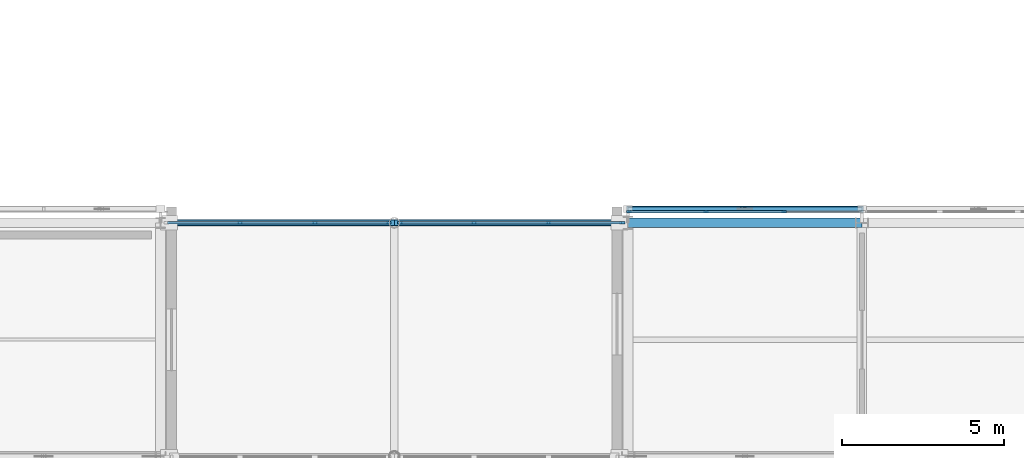
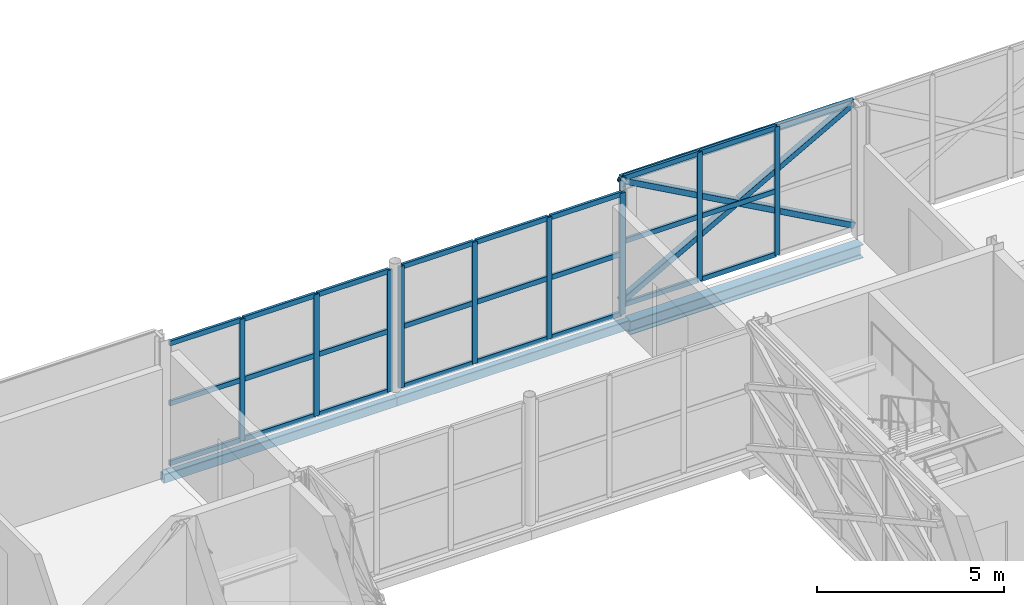
# One storey, part 36 of 146: 38 members, 3 beams, 3 elements without a shape of their own.
"""IFC4 building model written with IfcOpenShell, lengths in metres."""

from ifc_helpers import new_model, si_unit, direction, frame, origin, origin_2d, place, context, subcontext, project, spatial, rectangle, hollow_rectangle, i_section, extrude, material, material_profile, profile_set, type_object, element, aggregate, save


model = new_model("IFC4")

# Units and contexts
model_context = context("Model", 3, precision=1e-05, world=origin(), true_north=direction((0.0, 1.0)))
body_context = subcontext(model_context, "Body", "Model", "MODEL_VIEW")
ifc_project = project(units=[si_unit("LENGTHUNIT", "METRE"), si_unit("AREAUNIT", "SQUARE_METRE"), si_unit("VOLUMEUNIT", "CUBIC_METRE"), si_unit("PLANEANGLEUNIT", "RADIAN"), si_unit("MASSUNIT", "GRAM", prefix="KILO")], contexts=[model_context])

# Site, building, storey
site_placement = place(None, origin())
site = spatial("IfcSite", under=ifc_project, at=site_placement, CompositionType="ELEMENT")
building_placement = place(site_placement, origin())
building = spatial("IfcBuilding", under=site, at=building_placement, Name="Zlatovets Crest Museum", CompositionType="ELEMENT")
storey_placement = place(building_placement, frame((0.0, 0.0, 4.5)))
storey = spatial("IfcBuildingStorey", under=building, at=storey_placement, Name="L01", CompositionType="ELEMENT", Elevation=4.5)

# Beams
ifc_material_1 = material(Name="Structural steel S355J2", Category="steel")
ifc_material_profile_1 = material_profile(ifc_material_1, i_section(OverallWidth=0.300048828125, OverallDepth=0.43994140625, WebThickness=0.011474609375, FlangeThickness=0.02099609375, FilletRadius=0.027099609375, at=origin_2d()), Name="HEA 450")
ifc_profile_set_1 = profile_set([ifc_material_profile_1], Name="Structural steel S355J2")
beam_type_1 = type_object("IfcBeamType", Name="Beam_B-10", PredefinedType="BEAM", material=ifc_profile_set_1)
beam_1_placement = place(storey_placement, frame((57.60009765625, 28.800048828125, -0.43994140625), z_axis=(1.0, 0.0, 0.0), x_axis=(0.0, 1.0, 0.0)))
element("IfcBeam", 1, at=beam_1_placement, inside=storey, type_object=beam_type_1, Name="V2 L01 Primary Girder B-10", PredefinedType="BEAM", context=body_context, shape_type="SweptSolid", body=[
    extrude(i_section(OverallWidth=0.300048828125, OverallDepth=0.43994140625, WebThickness=0.011474609375, FlangeThickness=0.02099609375, FilletRadius=0.027099609375, at=origin_2d()), origin(), (0.0, 0.0, 1.0), 7.199951171875),
])
ifc_material_profile_2 = material_profile(ifc_material_1, hollow_rectangle(XDim=0.199951171875, YDim=0.300048828125, WallThickness=0.012451171875, InnerFilletRadius=0.012451171875, OuterFilletRadius=0.02490234375, at=origin_2d()), Name="RHS 200x300x12.5")
ifc_profile_set_2 = profile_set([ifc_material_profile_2], Name="Structural steel S355J2")
beam_type_2 = type_object("IfcBeamType", Name="Beam_BRG-01", PredefinedType="BEAM", material=ifc_profile_set_2)
beam_2_placement = place(storey_placement, frame((43.199951171875, 28.800048828125, -0.3701171875), z_axis=(1.0, 0.0, 0.0), x_axis=(0.0, 1.0, 0.0)))
element("IfcBeam", 2, at=beam_2_placement, inside=storey, type_object=beam_type_2, Name="South Forecourt Glazed Link Bridge L01 Stringer Beam", PredefinedType="BEAM", context=body_context, shape_type="SweptSolid", body=[
    extrude(hollow_rectangle(XDim=0.199951171875, YDim=0.300048828125, WallThickness=0.012451171875, InnerFilletRadius=0.012451171875, OuterFilletRadius=0.02490234375, at=origin_2d()), origin(), (0.0, 0.0, 1.0), 7.199951171875),
])
beam_3_placement = place(storey_placement, frame((50.39990234375, 28.800048828125, -0.3701171875), z_axis=(1.0, 0.0, 0.0), x_axis=(0.0, 1.0, 0.0)))
element("IfcBeam", 3, at=beam_3_placement, inside=storey, type_object=beam_type_2, Name="South Forecourt Glazed Link Bridge L01 Stringer Beam", PredefinedType="BEAM", context=body_context, shape_type="SweptSolid", body=[
    extrude(hollow_rectangle(XDim=0.199951171875, YDim=0.300048828125, WallThickness=0.012451171875, InnerFilletRadius=0.012451171875, OuterFilletRadius=0.02490234375, at=origin_2d()), origin(), (0.0, 0.0, 1.0), 7.2001953125),
])

# Curtain wall, members
ifc_material_2 = material(Name="Bronze-anodised aluminium and low-E triple glass", Category="aluminium")
curtain_wall_type_1 = type_object("IfcCurtainWallType", Name="CW_CW-V2-L01-M1", PredefinedType="NOTDEFINED", material=ifc_material_2)
curtain_wall_1_placement = place(storey_placement, origin())
curtain_wall_1 = element("IfcCurtainWall", 4, at=curtain_wall_1_placement, inside=storey, type_object=curtain_wall_type_1, Name="V2 L01 Secession Foyer Clear Curtain Wall", PredefinedType="NOTDEFINED")
ifc_material_3 = material(Name="Bronze-anodised aluminium EN AW-6060", Category="aluminium")
ifc_material_profile_3 = material_profile(ifc_material_3, rectangle(XDim=0.080078125, YDim=0.159912109375, at=origin_2d()), Name="ALU 80x160")
ifc_profile_set_3 = profile_set([ifc_material_profile_3], Name="Bronze-anodised aluminium EN AW-6060")
member_type_1 = type_object("IfcMemberType", Name="CWMull_M1", PredefinedType="MULLION", material=ifc_profile_set_3)
member_1_placement = place(storey_placement, frame((62.39990234375, 29.139892578125, 0.0), z_axis=(0.0, 0.0, 1.0), x_axis=(0.0, -1.0, 0.0)))
member_1 = element("IfcMember", 5, at=member_1_placement, type_object=member_type_1, Name="CW-V2-L01-M1 mullion 2", PredefinedType="MULLION", context=body_context, shape_type="SweptSolid", body=[
    extrude(rectangle(XDim=0.080078125, YDim=0.159912109375, at=origin_2d()), origin(), (0.0, 0.0, 1.0), 4.199951171875),
])
member_2_placement = place(storey_placement, frame((60.0, 29.139892578125, 0.0), z_axis=(0.0, 0.0, 1.0), x_axis=(0.0, -1.0, 0.0)))
member_2 = element("IfcMember", 6, at=member_2_placement, type_object=member_type_1, Name="CW-V2-L01-M1 mullion 3", PredefinedType="MULLION", context=body_context, shape_type="SweptSolid", body=[
    extrude(rectangle(XDim=0.080078125, YDim=0.159912109375, at=origin_2d()), origin(), (0.0, 0.0, 1.0), 4.199951171875),
])
member_3_placement = place(storey_placement, frame((57.6298828125, 29.139892578125, 0.0), z_axis=(0.0, 0.0, 1.0), x_axis=(0.0, -1.0, 0.0)))
member_3 = element("IfcMember", 7, at=member_3_placement, type_object=member_type_1, Name="CW-V2-L01-M1 mullion 4", PredefinedType="MULLION", context=body_context, shape_type="SweptSolid", body=[
    extrude(rectangle(XDim=0.080078125, YDim=0.159912109375, at=origin_2d()), origin(), (0.0, 0.0, 1.0), 4.199951171875),
])

curtain_wall_type_2 = type_object("IfcCurtainWallType", Name="CW_CW-BR1-L01-S69", PredefinedType="NOTDEFINED", material=ifc_material_2)
curtain_wall_2_placement = place(storey_placement, origin())
curtain_wall_2 = element("IfcCurtainWall", 8, at=curtain_wall_2_placement, inside=storey, type_object=curtain_wall_type_2, Name="South Forecourt Glazed Link Bridge L01 Glazed Bridge Curtain Wall", PredefinedType="NOTDEFINED")
member_4_placement = place(storey_placement, frame((45.64990234375, 28.800048828125, 0.0), z_axis=(0.0, 0.0, 1.0), x_axis=(0.0, 1.0, 0.0)))
member_4 = element("IfcMember", 9, at=member_4_placement, type_object=member_type_1, Name="CW-BR1-L01-S69 mullion 2", PredefinedType="MULLION", context=body_context, shape_type="SweptSolid", body=[
    extrude(rectangle(XDim=0.080078125, YDim=0.159912109375, at=origin_2d()), origin(), (0.0, 0.0, 1.0), 3.97998046875),
])
member_5_placement = place(storey_placement, frame((47.949951171875, 28.800048828125, 0.0), z_axis=(0.0, 0.0, 1.0), x_axis=(0.0, 1.0, 0.0)))
member_5 = element("IfcMember", 10, at=member_5_placement, type_object=member_type_1, Name="CW-BR1-L01-S69 mullion 3", PredefinedType="MULLION", context=body_context, shape_type="SweptSolid", body=[
    extrude(rectangle(XDim=0.080078125, YDim=0.159912109375, at=origin_2d()), origin(), (0.0, 0.0, 1.0), 3.97998046875),
])
member_6_placement = place(storey_placement, frame((50.219970703125, 28.800048828125, 0.0), z_axis=(0.0, 0.0, 1.0), x_axis=(0.0, 1.0, 0.0)))
member_6 = element("IfcMember", 11, at=member_6_placement, type_object=member_type_1, Name="CW-BR1-L01-S69 mullion 4", PredefinedType="MULLION", context=body_context, shape_type="SweptSolid", body=[
    extrude(rectangle(XDim=0.080078125, YDim=0.159912109375, at=origin_2d()), origin(), (0.0, 0.0, 1.0), 3.97998046875),
])

curtain_wall_3_placement = place(storey_placement, origin())
curtain_wall_3 = element("IfcCurtainWall", 12, at=curtain_wall_3_placement, inside=storey, type_object=curtain_wall_type_2, Name="South Forecourt Glazed Link Bridge L01 Glazed Bridge Curtain Wall", PredefinedType="NOTDEFINED")
member_7_placement = place(storey_placement, frame((50.580078125, 28.800048828125, 0.0), z_axis=(0.0, 0.0, 1.0), x_axis=(0.0, 1.0, 0.0)))
member_7 = element("IfcMember", 13, at=member_7_placement, type_object=member_type_1, Name="CW-BR1-L01-S69 mullion 1", PredefinedType="MULLION", context=body_context, shape_type="SweptSolid", body=[
    extrude(rectangle(XDim=0.080078125, YDim=0.159912109375, at=origin_2d()), origin(), (0.0, 0.0, 1.0), 3.97998046875),
])
member_8_placement = place(storey_placement, frame((52.85009765625, 28.800048828125, 0.0), z_axis=(0.0, 0.0, 1.0), x_axis=(0.0, 1.0, 0.0)))
member_8 = element("IfcMember", 14, at=member_8_placement, type_object=member_type_1, Name="CW-BR1-L01-S69 mullion 2", PredefinedType="MULLION", context=body_context, shape_type="SweptSolid", body=[
    extrude(rectangle(XDim=0.080078125, YDim=0.159912109375, at=origin_2d()), origin(), (0.0, 0.0, 1.0), 3.97998046875),
])
member_9_placement = place(storey_placement, frame((55.14990234375, 28.800048828125, 0.0), z_axis=(0.0, 0.0, 1.0), x_axis=(0.0, 1.0, 0.0)))
member_9 = element("IfcMember", 15, at=member_9_placement, type_object=member_type_1, Name="CW-BR1-L01-S69 mullion 3", PredefinedType="MULLION", context=body_context, shape_type="SweptSolid", body=[
    extrude(rectangle(XDim=0.080078125, YDim=0.159912109375, at=origin_2d()), origin(), (0.0, 0.0, 1.0), 3.97998046875),
])
member_10_placement = place(storey_placement, frame((57.419921875, 28.800048828125, 0.0), z_axis=(0.0, 0.0, 1.0), x_axis=(0.0, 1.0, 0.0)))
member_10 = element("IfcMember", 16, at=member_10_placement, type_object=member_type_1, Name="CW-BR1-L01-S69 mullion 4", PredefinedType="MULLION", context=body_context, shape_type="SweptSolid", body=[
    extrude(rectangle(XDim=0.080078125, YDim=0.159912109375, at=origin_2d()), origin(), (0.0, 0.0, 1.0), 3.97998046875),
])

# Member
ifc_material_profile_4 = material_profile(ifc_material_3, rectangle(XDim=0.080078125, YDim=0.159912109375, at=origin_2d()), Name="ALU 80x160")
ifc_profile_set_4 = profile_set([ifc_material_profile_4], Name="Bronze-anodised aluminium EN AW-6060")
member_type_2 = type_object("IfcMemberType", Name="CWTrans_T1", PredefinedType="USERDEFINED", material=ifc_profile_set_4)
member_11_placement = place(storey_placement, frame((62.3701171875, 29.139892578125, 0.030029296875), z_axis=(-1.0, 0.0, 0.0), x_axis=(0.0, -1.0, 0.0)))
member_11 = element("IfcMember", 17, at=member_11_placement, type_object=member_type_2, Name="CW-V2-L01-M1 transom 2.1", ObjectType="TRANSOM", PredefinedType="USERDEFINED", context=body_context, shape_type="SweptSolid", body=[
    extrude(rectangle(XDim=0.080078125, YDim=0.159912109375, at=origin_2d()), origin(), (0.0, 0.0, 1.0), 2.340087890625),
])

member_12_placement = place(storey_placement, frame((62.3701171875, 29.139892578125, 2.10009765625), z_axis=(-1.0, 0.0, 0.0), x_axis=(0.0, -1.0, 0.0)))
member_12 = element("IfcMember", 18, at=member_12_placement, type_object=member_type_2, Name="CW-V2-L01-M1 transom 2.2", ObjectType="TRANSOM", PredefinedType="USERDEFINED", context=body_context, shape_type="SweptSolid", body=[
    extrude(rectangle(XDim=0.080078125, YDim=0.159912109375, at=origin_2d()), origin(), (0.0, 0.0, 1.0), 2.340087890625),
])

member_13_placement = place(storey_placement, frame((62.3701171875, 29.139892578125, 4.169921875), z_axis=(-1.0, 0.0, 0.0), x_axis=(0.0, -1.0, 0.0)))
member_13 = element("IfcMember", 19, at=member_13_placement, type_object=member_type_2, Name="CW-V2-L01-M1 transom 2.3", ObjectType="TRANSOM", PredefinedType="USERDEFINED", context=body_context, shape_type="SweptSolid", body=[
    extrude(rectangle(XDim=0.080078125, YDim=0.159912109375, at=origin_2d()), origin(), (0.0, 0.0, 1.0), 2.340087890625),
])

member_14_placement = place(storey_placement, frame((59.969970703125, 29.139892578125, 0.030029296875), z_axis=(-1.0, 0.0, 0.0), x_axis=(0.0, -1.0, 0.0)))
member_14 = element("IfcMember", 20, at=member_14_placement, type_object=member_type_2, Name="CW-V2-L01-M1 transom 3.1", ObjectType="TRANSOM", PredefinedType="USERDEFINED", context=body_context, shape_type="SweptSolid", body=[
    extrude(rectangle(XDim=0.080078125, YDim=0.159912109375, at=origin_2d()), origin(), (0.0, 0.0, 1.0), 2.31005859375),
])

member_15_placement = place(storey_placement, frame((59.969970703125, 29.139892578125, 2.10009765625), z_axis=(-1.0, 0.0, 0.0), x_axis=(0.0, -1.0, 0.0)))
member_15 = element("IfcMember", 21, at=member_15_placement, type_object=member_type_2, Name="CW-V2-L01-M1 transom 3.2", ObjectType="TRANSOM", PredefinedType="USERDEFINED", context=body_context, shape_type="SweptSolid", body=[
    extrude(rectangle(XDim=0.080078125, YDim=0.159912109375, at=origin_2d()), origin(), (0.0, 0.0, 1.0), 2.31005859375),
])

member_16_placement = place(storey_placement, frame((59.969970703125, 29.139892578125, 4.169921875), z_axis=(-1.0, 0.0, 0.0), x_axis=(0.0, -1.0, 0.0)))
member_16 = element("IfcMember", 22, at=member_16_placement, type_object=member_type_2, Name="CW-V2-L01-M1 transom 3.3", ObjectType="TRANSOM", PredefinedType="USERDEFINED", context=body_context, shape_type="SweptSolid", body=[
    extrude(rectangle(XDim=0.080078125, YDim=0.159912109375, at=origin_2d()), origin(), (0.0, 0.0, 1.0), 2.31005859375),
])

aggregate(curtain_wall_1, [member_1, member_2, member_3, member_11, member_12, member_13, member_14, member_15, member_16])

member_17_placement = place(storey_placement, frame((43.409912109375, 28.800048828125, 0.030029296875), z_axis=(1.0, 0.0, 0.0), x_axis=(0.0, 1.0, 0.0)))
member_17 = element("IfcMember", 23, at=member_17_placement, type_object=member_type_2, Name="CW-BR1-L01-S69 transom 1.1", ObjectType="TRANSOM", PredefinedType="USERDEFINED", context=body_context, shape_type="SweptSolid", body=[
    extrude(rectangle(XDim=0.080078125, YDim=0.159912109375, at=origin_2d()), origin(), (0.0, 0.0, 1.0), 2.210205078125),
])

member_18_placement = place(storey_placement, frame((43.409912109375, 28.800048828125, 1.989990234375), z_axis=(1.0, 0.0, 0.0), x_axis=(0.0, 1.0, 0.0)))
member_18 = element("IfcMember", 24, at=member_18_placement, type_object=member_type_2, Name="CW-BR1-L01-S69 transom 1.2", ObjectType="TRANSOM", PredefinedType="USERDEFINED", context=body_context, shape_type="SweptSolid", body=[
    extrude(rectangle(XDim=0.080078125, YDim=0.159912109375, at=origin_2d()), origin(), (0.0, 0.0, 1.0), 2.210205078125),
])

member_19_placement = place(storey_placement, frame((43.409912109375, 28.800048828125, 3.949951171875), z_axis=(1.0, 0.0, 0.0), x_axis=(0.0, 1.0, 0.0)))
member_19 = element("IfcMember", 25, at=member_19_placement, type_object=member_type_2, Name="CW-BR1-L01-S69 transom 1.3", ObjectType="TRANSOM", PredefinedType="USERDEFINED", context=body_context, shape_type="SweptSolid", body=[
    extrude(rectangle(XDim=0.080078125, YDim=0.159912109375, at=origin_2d()), origin(), (0.0, 0.0, 1.0), 2.210205078125),
])

member_20_placement = place(storey_placement, frame((45.679931640625, 28.800048828125, 0.030029296875), z_axis=(1.0, 0.0, 0.0), x_axis=(0.0, 1.0, 0.0)))
member_20 = element("IfcMember", 26, at=member_20_placement, type_object=member_type_2, Name="CW-BR1-L01-S69 transom 2.1", ObjectType="TRANSOM", PredefinedType="USERDEFINED", context=body_context, shape_type="SweptSolid", body=[
    extrude(rectangle(XDim=0.080078125, YDim=0.159912109375, at=origin_2d()), origin(), (0.0, 0.0, 1.0), 2.239990234375),
])

member_21_placement = place(storey_placement, frame((45.679931640625, 28.800048828125, 1.989990234375), z_axis=(1.0, 0.0, 0.0), x_axis=(0.0, 1.0, 0.0)))
member_21 = element("IfcMember", 27, at=member_21_placement, type_object=member_type_2, Name="CW-BR1-L01-S69 transom 2.2", ObjectType="TRANSOM", PredefinedType="USERDEFINED", context=body_context, shape_type="SweptSolid", body=[
    extrude(rectangle(XDim=0.080078125, YDim=0.159912109375, at=origin_2d()), origin(), (0.0, 0.0, 1.0), 2.239990234375),
])

member_22_placement = place(storey_placement, frame((45.679931640625, 28.800048828125, 3.949951171875), z_axis=(1.0, 0.0, 0.0), x_axis=(0.0, 1.0, 0.0)))
member_22 = element("IfcMember", 28, at=member_22_placement, type_object=member_type_2, Name="CW-BR1-L01-S69 transom 2.3", ObjectType="TRANSOM", PredefinedType="USERDEFINED", context=body_context, shape_type="SweptSolid", body=[
    extrude(rectangle(XDim=0.080078125, YDim=0.159912109375, at=origin_2d()), origin(), (0.0, 0.0, 1.0), 2.239990234375),
])

member_23_placement = place(storey_placement, frame((47.97998046875, 28.800048828125, 0.030029296875), z_axis=(1.0, 0.0, 0.0), x_axis=(0.0, 1.0, 0.0)))
member_23 = element("IfcMember", 29, at=member_23_placement, type_object=member_type_2, Name="CW-BR1-L01-S69 transom 3.1", ObjectType="TRANSOM", PredefinedType="USERDEFINED", context=body_context, shape_type="SweptSolid", body=[
    extrude(rectangle(XDim=0.080078125, YDim=0.159912109375, at=origin_2d()), origin(), (0.0, 0.0, 1.0), 2.2099609375),
])

member_24_placement = place(storey_placement, frame((47.97998046875, 28.800048828125, 1.989990234375), z_axis=(1.0, 0.0, 0.0), x_axis=(0.0, 1.0, 0.0)))
member_24 = element("IfcMember", 30, at=member_24_placement, type_object=member_type_2, Name="CW-BR1-L01-S69 transom 3.2", ObjectType="TRANSOM", PredefinedType="USERDEFINED", context=body_context, shape_type="SweptSolid", body=[
    extrude(rectangle(XDim=0.080078125, YDim=0.159912109375, at=origin_2d()), origin(), (0.0, 0.0, 1.0), 2.2099609375),
])

member_25_placement = place(storey_placement, frame((47.97998046875, 28.800048828125, 3.949951171875), z_axis=(1.0, 0.0, 0.0), x_axis=(0.0, 1.0, 0.0)))
member_25 = element("IfcMember", 31, at=member_25_placement, type_object=member_type_2, Name="CW-BR1-L01-S69 transom 3.3", ObjectType="TRANSOM", PredefinedType="USERDEFINED", context=body_context, shape_type="SweptSolid", body=[
    extrude(rectangle(XDim=0.080078125, YDim=0.159912109375, at=origin_2d()), origin(), (0.0, 0.0, 1.0), 2.2099609375),
])

aggregate(curtain_wall_2, [member_4, member_5, member_6, member_17, member_18, member_19, member_20, member_21, member_22, member_23, member_24, member_25])

member_26_placement = place(storey_placement, frame((50.610107421875, 28.800048828125, 0.030029296875), z_axis=(1.0, 0.0, 0.0), x_axis=(0.0, 1.0, 0.0)))
member_26 = element("IfcMember", 32, at=member_26_placement, type_object=member_type_2, Name="CW-BR1-L01-S69 transom 1.1", ObjectType="TRANSOM", PredefinedType="USERDEFINED", context=body_context, shape_type="SweptSolid", body=[
    extrude(rectangle(XDim=0.080078125, YDim=0.159912109375, at=origin_2d()), origin(), (0.0, 0.0, 1.0), 2.2099609375),
])

member_27_placement = place(storey_placement, frame((50.610107421875, 28.800048828125, 1.989990234375), z_axis=(1.0, 0.0, 0.0), x_axis=(0.0, 1.0, 0.0)))
member_27 = element("IfcMember", 33, at=member_27_placement, type_object=member_type_2, Name="CW-BR1-L01-S69 transom 1.2", ObjectType="TRANSOM", PredefinedType="USERDEFINED", context=body_context, shape_type="SweptSolid", body=[
    extrude(rectangle(XDim=0.080078125, YDim=0.159912109375, at=origin_2d()), origin(), (0.0, 0.0, 1.0), 2.2099609375),
])

member_28_placement = place(storey_placement, frame((50.610107421875, 28.800048828125, 3.949951171875), z_axis=(1.0, 0.0, 0.0), x_axis=(0.0, 1.0, 0.0)))
member_28 = element("IfcMember", 34, at=member_28_placement, type_object=member_type_2, Name="CW-BR1-L01-S69 transom 1.3", ObjectType="TRANSOM", PredefinedType="USERDEFINED", context=body_context, shape_type="SweptSolid", body=[
    extrude(rectangle(XDim=0.080078125, YDim=0.159912109375, at=origin_2d()), origin(), (0.0, 0.0, 1.0), 2.2099609375),
])

member_29_placement = place(storey_placement, frame((52.8798828125, 28.800048828125, 0.030029296875), z_axis=(1.0, 0.0, 0.0), x_axis=(0.0, 1.0, 0.0)))
member_29 = element("IfcMember", 35, at=member_29_placement, type_object=member_type_2, Name="CW-BR1-L01-S69 transom 2.1", ObjectType="TRANSOM", PredefinedType="USERDEFINED", context=body_context, shape_type="SweptSolid", body=[
    extrude(rectangle(XDim=0.080078125, YDim=0.159912109375, at=origin_2d()), origin(), (0.0, 0.0, 1.0), 2.240234375),
])

member_30_placement = place(storey_placement, frame((52.8798828125, 28.800048828125, 1.989990234375), z_axis=(1.0, 0.0, 0.0), x_axis=(0.0, 1.0, 0.0)))
member_30 = element("IfcMember", 36, at=member_30_placement, type_object=member_type_2, Name="CW-BR1-L01-S69 transom 2.2", ObjectType="TRANSOM", PredefinedType="USERDEFINED", context=body_context, shape_type="SweptSolid", body=[
    extrude(rectangle(XDim=0.080078125, YDim=0.159912109375, at=origin_2d()), origin(), (0.0, 0.0, 1.0), 2.240234375),
])

member_31_placement = place(storey_placement, frame((52.8798828125, 28.800048828125, 3.949951171875), z_axis=(1.0, 0.0, 0.0), x_axis=(0.0, 1.0, 0.0)))
member_31 = element("IfcMember", 37, at=member_31_placement, type_object=member_type_2, Name="CW-BR1-L01-S69 transom 2.3", ObjectType="TRANSOM", PredefinedType="USERDEFINED", context=body_context, shape_type="SweptSolid", body=[
    extrude(rectangle(XDim=0.080078125, YDim=0.159912109375, at=origin_2d()), origin(), (0.0, 0.0, 1.0), 2.240234375),
])

member_32_placement = place(storey_placement, frame((55.179931640625, 28.800048828125, 0.030029296875), z_axis=(1.0, 0.0, 0.0), x_axis=(0.0, 1.0, 0.0)))
member_32 = element("IfcMember", 38, at=member_32_placement, type_object=member_type_2, Name="CW-BR1-L01-S69 transom 3.1", ObjectType="TRANSOM", PredefinedType="USERDEFINED", context=body_context, shape_type="SweptSolid", body=[
    extrude(rectangle(XDim=0.080078125, YDim=0.159912109375, at=origin_2d()), origin(), (0.0, 0.0, 1.0), 2.2099609375),
])

member_33_placement = place(storey_placement, frame((55.179931640625, 28.800048828125, 1.989990234375), z_axis=(1.0, 0.0, 0.0), x_axis=(0.0, 1.0, 0.0)))
member_33 = element("IfcMember", 39, at=member_33_placement, type_object=member_type_2, Name="CW-BR1-L01-S69 transom 3.2", ObjectType="TRANSOM", PredefinedType="USERDEFINED", context=body_context, shape_type="SweptSolid", body=[
    extrude(rectangle(XDim=0.080078125, YDim=0.159912109375, at=origin_2d()), origin(), (0.0, 0.0, 1.0), 2.2099609375),
])

member_34_placement = place(storey_placement, frame((55.179931640625, 28.800048828125, 3.949951171875), z_axis=(1.0, 0.0, 0.0), x_axis=(0.0, 1.0, 0.0)))
member_34 = element("IfcMember", 40, at=member_34_placement, type_object=member_type_2, Name="CW-BR1-L01-S69 transom 3.3", ObjectType="TRANSOM", PredefinedType="USERDEFINED", context=body_context, shape_type="SweptSolid", body=[
    extrude(rectangle(XDim=0.080078125, YDim=0.159912109375, at=origin_2d()), origin(), (0.0, 0.0, 1.0), 2.2099609375),
])

aggregate(curtain_wall_3, [member_7, member_8, member_9, member_10, member_26, member_27, member_28, member_29, member_30, member_31, member_32, member_33, member_34])

# Members
ifc_material_4 = material(Name="Weathering bronze-steel S355J2W", Category="steel")
ifc_material_profile_5 = material_profile(ifc_material_4, hollow_rectangle(XDim=0.199951171875, YDim=0.199951171875, WallThickness=0.012451171875, InnerFilletRadius=0.012451171875, OuterFilletRadius=0.02490234375, at=origin_2d()), Name="SHS 200x200x12.5")
ifc_profile_set_5 = profile_set([ifc_material_profile_5], Name="Weathering bronze-steel S355J2W")
member_type_3 = type_object("IfcMemberType", Name="Lattice_XL-02", PredefinedType="BRACE", material=ifc_profile_set_5)
member_35_placement = place(storey_placement, frame((64.800048828125, 29.219970703125, 0.10009765625), z_axis=(-0.874155877937, 0.0, 0.485645447903), x_axis=(0.0, -1.0, 0.0)))
element("IfcMember", 41, at=member_35_placement, inside=storey, type_object=member_type_3, Name="Continuous Bronze Lattice Diagonal", PredefinedType="BRACE", context=body_context, shape_type="SweptSolid", body=[
    extrude(hollow_rectangle(XDim=0.199951171875, YDim=0.199951171875, WallThickness=0.012451171875, InnerFilletRadius=0.012451171875, OuterFilletRadius=0.02490234375, at=origin_2d()), origin(), (0.0, 0.0, 1.0), 8.236572265625),
])
member_36_placement = place(storey_placement, frame((64.800048828125, 29.219970703125, 4.10009765625), z_axis=(-0.874140102304, 0.0, -0.485673842763), x_axis=(0.0, -1.0, 0.0)))
element("IfcMember", 42, at=member_36_placement, inside=storey, type_object=member_type_3, Name="Split Crossing Bronze Lattice Diagonal Upper", PredefinedType="BRACE", context=body_context, shape_type="SweptSolid", body=[
    extrude(hollow_rectangle(XDim=0.199951171875, YDim=0.199951171875, WallThickness=0.012451171875, InnerFilletRadius=0.012451171875, OuterFilletRadius=0.02490234375, at=origin_2d()), origin(), (0.0, 0.0, 1.0), 4.0234375),
])
member_37_placement = place(storey_placement, frame((61.116943359375, 29.219970703125, 2.053955078125), z_axis=(-0.874151551165, 0.0, -0.485653235958), x_axis=(0.0, -1.0, 0.0)))
element("IfcMember", 43, at=member_37_placement, inside=storey, type_object=member_type_3, Name="Split Crossing Bronze Lattice Diagonal Lower", PredefinedType="BRACE", context=body_context, shape_type="SweptSolid", body=[
    extrude(hollow_rectangle(XDim=0.199951171875, YDim=0.199951171875, WallThickness=0.012451171875, InnerFilletRadius=0.012451171875, OuterFilletRadius=0.02490234375, at=origin_2d()), origin(), (0.0, 0.0, 1.0), 4.023193359375),
])
ifc_material_profile_6 = material_profile(ifc_material_4, hollow_rectangle(XDim=0.1201171875, YDim=0.239990234375, WallThickness=0.010009765625, InnerFilletRadius=0.010009765625, OuterFilletRadius=0.02001953125, at=origin_2d()), Name="RHS 120x240x10.0")
ifc_profile_set_6 = profile_set([ifc_material_profile_6], Name="Weathering bronze-steel S355J2W")
member_type_4 = type_object("IfcMemberType", Name="Lattice_XL-04", PredefinedType="CHORD", material=ifc_profile_set_6)
member_38_placement = place(storey_placement, frame((64.800048828125, 29.219970703125, 4.10009765625), z_axis=(-1.0, 0.0, 0.0), x_axis=(0.0, -1.0, 0.0)))
element("IfcMember", 44, at=member_38_placement, inside=storey, type_object=member_type_4, Name="Art Nouveau Woven Cage Collector Ring Chord", PredefinedType="CHORD", context=body_context, shape_type="SweptSolid", body=[
    extrude(hollow_rectangle(XDim=0.1201171875, YDim=0.239990234375, WallThickness=0.010009765625, InnerFilletRadius=0.010009765625, OuterFilletRadius=0.02001953125, at=origin_2d()), origin(), (0.0, 0.0, 1.0), 7.199951171875),
])

save(model, "model.ifc")
